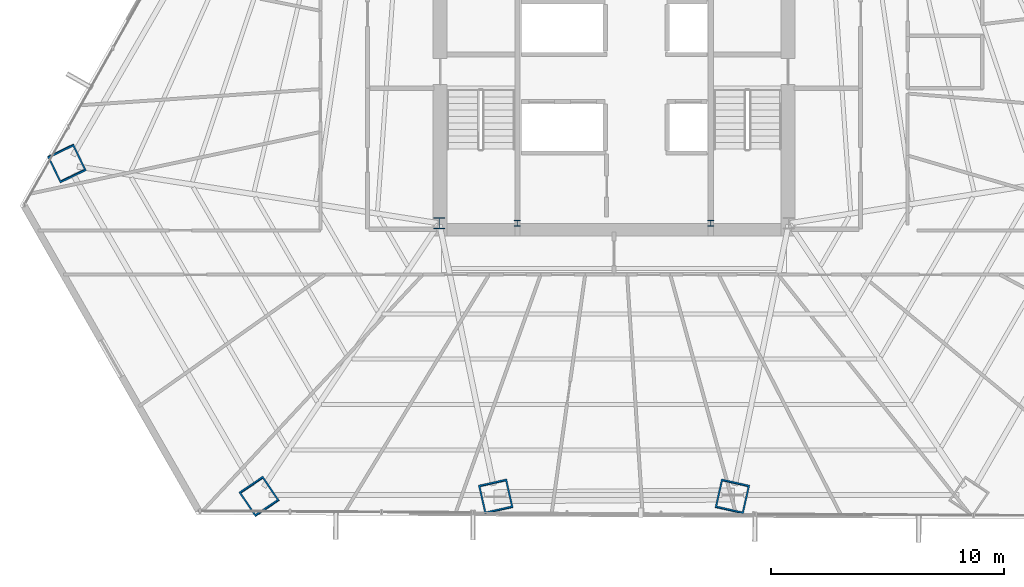
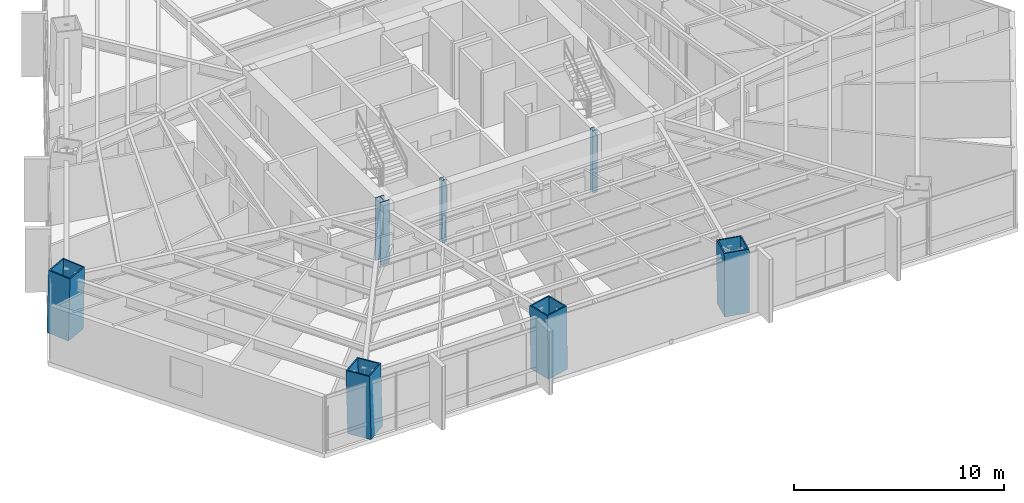
# One storey, part 1 of 39: 7 columns.
"""IFC4 building model written with IfcOpenShell, lengths in metres."""

from ifc_helpers import new_model, si_unit, direction, frame, origin, origin_2d, place, context, subcontext, project, spatial, hollow_rectangle, i_section, extrude, source, transform, mapped, material, material_profile, profile_set, type_object, type_shapes, element, save


model = new_model("IFC4")

# Units and contexts
model_context = context("Model", 3, precision=1e-05, world=origin(), true_north=direction((0.0, 1.0)))
body_context = subcontext(model_context, "Body", "Model", "MODEL_VIEW")
ifc_project = project(units=[si_unit("LENGTHUNIT", "METRE"), si_unit("AREAUNIT", "SQUARE_METRE"), si_unit("VOLUMEUNIT", "CUBIC_METRE"), si_unit("PLANEANGLEUNIT", "RADIAN"), si_unit("MASSUNIT", "GRAM", prefix="KILO")], contexts=[model_context])

# Site, building, storey
site_placement = place(None, origin())
site = spatial("IfcSite", under=ifc_project, at=site_placement, CompositionType="ELEMENT")
building_placement = place(site_placement, origin())
building = spatial("IfcBuilding", under=site, at=building_placement, Name="Caelisora Broadcast Tower", CompositionType="ELEMENT")
storey_placement = place(building_placement, frame((0.0, 0.0, 71.39990234375)))
storey = spatial("IfcBuildingStorey", under=building, at=storey_placement, Name="L18", CompositionType="ELEMENT", Elevation=71.39990234375)

# Columns
ifc_material_1 = material(Name="Steel Grade 350 L15 (AS/NZS 3678)", Category="steel")
ifc_material_profile_1 = material_profile(ifc_material_1, hollow_rectangle(XDim=1.25, YDim=1.25, WallThickness=0.070068359375, at=origin_2d()), Name="Steel Grade 350 L15 (AS/NZS 3678)")
ifc_profile_set_1 = profile_set([ifc_material_profile_1], Name="Steel Grade 350 L15 (AS/NZS 3678)")
column_type_1 = type_object("IfcColumnType", Name="MC02", PredefinedType="COLUMN", material=ifc_profile_set_1)
shared_shape_1 = source(origin(), body_context, "Body", "SweptSolid", [
    extrude(hollow_rectangle(XDim=1.25, YDim=1.25, WallThickness=0.070068359375, at=origin_2d()), origin(), (0.0, 0.0, 1.0), 3.65087890625),
])
for number, where, z_axis, x_axis, name in (
    (1, (32.92578125, 5.66748046875, 0.0), (-0.004480376697, 0.019860774315, 0.999792716451), (-0.975486508487, -0.220059246022, 0.0), "L18 column MC02"),
    (2, (43.07421875, 5.66748046875, 0.0), (0.004480376697, 0.019860774315, 0.999792716451), (-0.975486508487, 0.220059246022, 0.0), "L18 column MC02"),
):
    element("IfcColumn", number, at=place(storey_placement, frame(where, z_axis=z_axis, x_axis=x_axis)), inside=storey, type_object=column_type_1, Name=name, PredefinedType="COLUMN", context=body_context, shape_type="MappedRepresentation", body=[
        mapped(shared_shape_1, transform((0.0, 0.0, 0.0), scale=1.0)),
    ])
ifc_material_2 = material(Name="Steel Grade 350 (AS/NZS 3679.2)", Category="steel")
ifc_material_profile_2 = material_profile(ifc_material_2, i_section(OverallWidth=0.5, OverallDepth=0.5, WebThickness=0.028076171875, FlangeThickness=0.0400390625, at=origin_2d()), Name="Steel Grade 350 (AS/NZS 3679.2)")
ifc_profile_set_2 = profile_set([ifc_material_profile_2], Name="Steel Grade 350 (AS/NZS 3679.2)")
column_type_2 = type_object("IfcColumnType", Name="CC01", PredefinedType="COLUMN", material=ifc_profile_set_2)
shared_shape_2 = source(origin(), body_context, "Body", "SweptSolid", [
    extrude(i_section(OverallWidth=0.5, OverallDepth=0.5, WebThickness=0.028076171875, FlangeThickness=0.0400390625, at=origin_2d()), origin(), (0.0, 0.0, 1.0), 3.650146484375),
])
type_shapes(column_type_2, [shared_shape_2])
column_placement = place(storey_placement, frame((30.5, 17.39990234375, 0.0), z_axis=(0.0, 0.0, 1.0), x_axis=(1.0, 0.0, 0.0)))
element("IfcColumn", 3, at=column_placement, inside=storey, type_object=column_type_2, Name="L18 column CC01", PredefinedType="COLUMN", context=body_context, shape_type="MappedRepresentation", body=[
    mapped(shared_shape_2, transform((0.0, 0.0, 0.0), scale=1.0)),
])
shared_shape_3 = source(origin(), body_context, "Body", "SweptSolid", [
    extrude(hollow_rectangle(XDim=1.25, YDim=1.25, WallThickness=0.070068359375, at=origin_2d()), origin(), (0.0, 0.0, 1.0), 3.651123046875),
])
type_shapes(column_type_1, [shared_shape_1, shared_shape_3])
for number, where, z_axis, x_axis, name in (
    (4, (14.512451171875, 19.9833984375, 0.0), (0.010431083049, -0.021597691184, 0.999712324742), (0.900476348161, 0.434904985489, 0.0), "L18 column MC02"),
    (5, (22.777587890625, 5.66748046875, 0.0), (-0.013440050965, 0.019859179784, 0.999712447661), (-0.828169210203, -0.560478152359, 0.0), "L18 column MC02"),
):
    element("IfcColumn", number, at=place(storey_placement, frame(where, z_axis=z_axis, x_axis=x_axis)), inside=storey, type_object=column_type_1, Name=name, PredefinedType="COLUMN", context=body_context, shape_type="MappedRepresentation", body=[
        mapped(shared_shape_3, transform((0.0, 0.0, 0.0), scale=1.0)),
    ])
ifc_material_3 = material(Name="Steel Grade 350 (AS/NZS 3679.1)", Category="steel")
ifc_material_profile_3 = material_profile(ifc_material_3, i_section(OverallWidth=0.256103515625, OverallDepth=0.260009765625, WebThickness=0.010498046875, FlangeThickness=0.017333984375, at=origin_2d()), Name="Steel Grade 350 (AS/NZS 3679.1)")
ifc_profile_set_3 = profile_set([ifc_material_profile_3], Name="Steel Grade 350 (AS/NZS 3679.1)")
column_type_3 = type_object("IfcColumnType", Name="CC05", PredefinedType="COLUMN", material=ifc_profile_set_3)
shared_shape_4 = source(origin(), body_context, "Body", "SweptSolid", [
    extrude(i_section(OverallWidth=0.256103515625, OverallDepth=0.260009765625, WebThickness=0.010498046875, FlangeThickness=0.017333984375, at=origin_2d()), origin(), (0.0, 0.0, 1.0), 3.650146484375),
])
type_shapes(column_type_3, [shared_shape_4])
for number, where, z_axis, x_axis, name in (
    (6, (33.85009765625, 17.39990234375, 0.0), (0.0, 0.0, 1.0), (1.0, 0.0, 0.0), "L18 column CC05"),
    (7, (42.14990234375, 17.39990234375, 0.0), (0.0, 0.0, 1.0), (1.0, 0.0, 0.0), "L18 column CC05"),
):
    element("IfcColumn", number, at=place(storey_placement, frame(where, z_axis=z_axis, x_axis=x_axis)), inside=storey, type_object=column_type_3, Name=name, PredefinedType="COLUMN", context=body_context, shape_type="MappedRepresentation", body=[
        mapped(shared_shape_4, transform((0.0, 0.0, 0.0), scale=1.0)),
    ])

save(model, "model.ifc")
